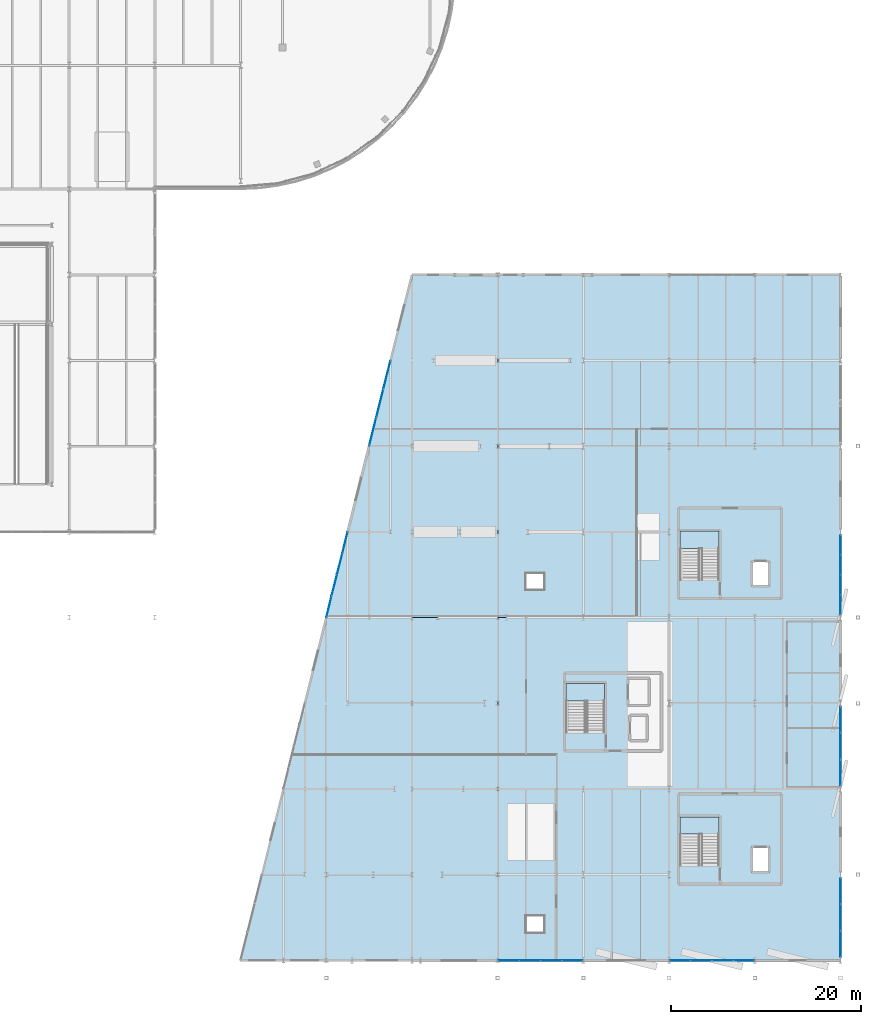
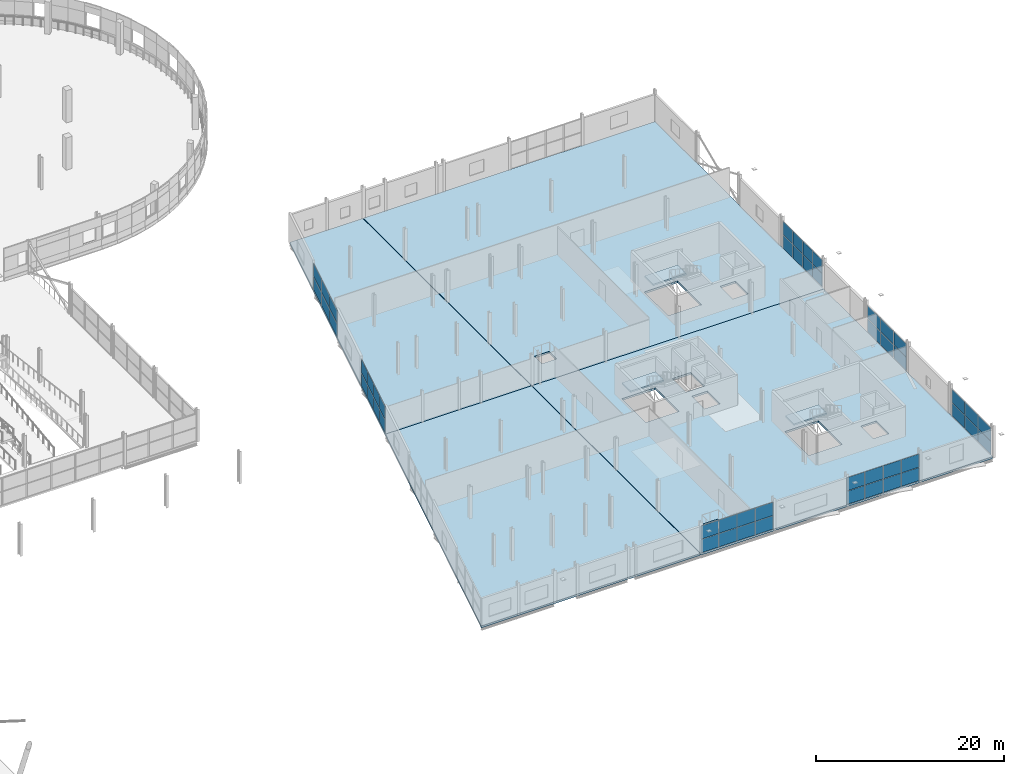
# One storey, part 103 of 132: 50 plates, 7 slabs, 10 elements without a shape of their own.
"""IFC4 building model written with IfcOpenShell, lengths in metres."""

from ifc_helpers import new_model, si_unit, direction, frame, origin, origin_2d, place, context, subcontext, project, spatial, polyline, rectangle, outline, extrude, material, layer, layer_set, type_object, element, aggregate, save


model = new_model("IFC4")

# Units and contexts
model_context = context("Model", 3, precision=1e-05, world=origin(), true_north=direction((0.0, 1.0)))
body_context = subcontext(model_context, "Body", "Model", "MODEL_VIEW")
ifc_project = project(units=[si_unit("LENGTHUNIT", "METRE"), si_unit("AREAUNIT", "SQUARE_METRE"), si_unit("VOLUMEUNIT", "CUBIC_METRE"), si_unit("PLANEANGLEUNIT", "RADIAN"), si_unit("MASSUNIT", "GRAM", prefix="KILO")], contexts=[model_context])

# Site, building, storey
site_placement = place(None, origin())
site = spatial("IfcSite", under=ifc_project, at=site_placement, CompositionType="ELEMENT")
building_placement = place(site_placement, origin())
building = spatial("IfcBuilding", under=site, at=building_placement, Name="Deido Ridge Mobility Hub", CompositionType="ELEMENT")
storey_placement = place(building_placement, frame((0.0, 0.0, 8.39990234375)))
storey = spatial("IfcBuildingStorey", under=building, at=storey_placement, Name="L02", CompositionType="ELEMENT", Elevation=8.39990234375)

# Curtain wall, plates
ifc_material_1 = material(Name="Anodised aluminium EN AW-6063 T6", Category="aluminium")
ifc_layer_1 = layer(ifc_material_1, 0.1650390625, Name="Anodised aluminium EN AW-6063 T6")
ifc_layer_set_1 = layer_set([ifc_layer_1], Name="Anodised aluminium EN AW-6063 T6")
curtain_wall_type_1 = type_object("IfcCurtainWallType", Name="CW-UF-1", PredefinedType="USERDEFINED", material=ifc_layer_set_1)
curtain_wall_1_placement = place(storey_placement, origin())
curtain_wall_1 = element("IfcCurtainWall", 1, at=curtain_wall_1_placement, inside=storey, type_object=curtain_wall_type_1, Name="Unitised curtain wall CW1", ObjectType="UNITISED FACADE", PredefinedType="USERDEFINED")
ifc_material_2 = material(Name="Laminated solar-control low-E glass", Category="glass")
ifc_layer_2 = layer(ifc_material_2, 0.02587890625, Name="Laminated solar-control low-E glass")
ifc_layer_set_2 = layer_set([ifc_layer_2], Name="Laminated solar-control low-E glass")
plate_type_1 = type_object("IfcPlateType", Name="PLT-CWP-26", PredefinedType="CURTAIN_PANEL", material=ifc_layer_set_2)
plate_1_placement = place(storey_placement, frame((145.14404296875, 0.0, 0.050048828125), z_axis=(0.0, 0.0, 1.0), x_axis=(1.0, 0.0, 0.0)))
plate_1 = element("IfcPlate", 2, at=plate_1_placement, type_object=plate_type_1, Name="CW1 panel 1.1", PredefinedType="CURTAIN_PANEL", context=body_context, shape_type="SweptSolid", body=[
    extrude(rectangle(XDim=2.1708984375, YDim=0.02587890625, at=origin_2d()), origin(), (0.0, 0.0, 1.0), 1.72509765625),
])
plate_2_placement = place(storey_placement, frame((145.14404296875, 0.0, 1.824951171875), z_axis=(0.0, 0.0, 1.0), x_axis=(1.0, 0.0, 0.0)))
plate_2 = element("IfcPlate", 3, at=plate_2_placement, type_object=plate_type_1, Name="CW1 panel 1.2", PredefinedType="CURTAIN_PANEL", context=body_context, shape_type="SweptSolid", body=[
    extrude(rectangle(XDim=2.1708984375, YDim=0.02587890625, at=origin_2d()), origin(), (0.0, 0.0, 1.0), 1.72509765625),
])
plate_3_placement = place(storey_placement, frame((147.37744140625, 0.0, 0.050048828125), z_axis=(0.0, 0.0, 1.0), x_axis=(1.0, 0.0, 0.0)))
plate_3 = element("IfcPlate", 4, at=plate_3_placement, type_object=plate_type_1, Name="CW1 panel 2.1", PredefinedType="CURTAIN_PANEL", context=body_context, shape_type="SweptSolid", body=[
    extrude(rectangle(XDim=2.19580078125, YDim=0.02587890625, at=origin_2d()), origin(), (0.0, 0.0, 1.0), 1.72509765625),
])
plate_4_placement = place(storey_placement, frame((147.37744140625, 0.0, 1.824951171875), z_axis=(0.0, 0.0, 1.0), x_axis=(1.0, 0.0, 0.0)))
plate_4 = element("IfcPlate", 5, at=plate_4_placement, type_object=plate_type_1, Name="CW1 panel 2.2", PredefinedType="CURTAIN_PANEL", context=body_context, shape_type="SweptSolid", body=[
    extrude(rectangle(XDim=2.19580078125, YDim=0.02587890625, at=origin_2d()), origin(), (0.0, 0.0, 1.0), 1.72509765625),
])
plate_5_placement = place(storey_placement, frame((149.62353515625, 0.0, 0.050048828125), z_axis=(0.0, 0.0, 1.0), x_axis=(1.0, 0.0, 0.0)))
plate_5 = element("IfcPlate", 6, at=plate_5_placement, type_object=plate_type_1, Name="CW1 panel 3.1", PredefinedType="CURTAIN_PANEL", context=body_context, shape_type="SweptSolid", body=[
    extrude(rectangle(XDim=2.19580078125, YDim=0.02587890625, at=origin_2d()), origin(), (0.0, 0.0, 1.0), 1.72509765625),
])
plate_6_placement = place(storey_placement, frame((149.62353515625, 0.0, 1.824951171875), z_axis=(0.0, 0.0, 1.0), x_axis=(1.0, 0.0, 0.0)))
plate_6 = element("IfcPlate", 7, at=plate_6_placement, type_object=plate_type_1, Name="CW1 panel 3.2", PredefinedType="CURTAIN_PANEL", context=body_context, shape_type="SweptSolid", body=[
    extrude(rectangle(XDim=2.19580078125, YDim=0.02587890625, at=origin_2d()), origin(), (0.0, 0.0, 1.0), 1.72509765625),
])
plate_7_placement = place(storey_placement, frame((151.85693359375, 0.0, 0.050048828125), z_axis=(0.0, 0.0, 1.0), x_axis=(1.0, 0.0, 0.0)))
plate_7 = element("IfcPlate", 8, at=plate_7_placement, type_object=plate_type_1, Name="CW1 panel 4.1", PredefinedType="CURTAIN_PANEL", context=body_context, shape_type="SweptSolid", body=[
    extrude(rectangle(XDim=2.1708984375, YDim=0.02587890625, at=origin_2d()), origin(), (0.0, 0.0, 1.0), 1.72509765625),
])
plate_8_placement = place(storey_placement, frame((151.85693359375, 0.0, 1.824951171875), z_axis=(0.0, 0.0, 1.0), x_axis=(1.0, 0.0, 0.0)))
plate_8 = element("IfcPlate", 9, at=plate_8_placement, type_object=plate_type_1, Name="CW1 panel 4.2", PredefinedType="CURTAIN_PANEL", context=body_context, shape_type="SweptSolid", body=[
    extrude(rectangle(XDim=2.1708984375, YDim=0.02587890625, at=origin_2d()), origin(), (0.0, 0.0, 1.0), 1.72509765625),
])
aggregate(curtain_wall_1, [plate_1, plate_2, plate_3, plate_4, plate_5, plate_6, plate_7, plate_8])

curtain_wall_2_placement = place(storey_placement, origin())
curtain_wall_2 = element("IfcCurtainWall", 10, at=curtain_wall_2_placement, inside=storey, type_object=curtain_wall_type_1, Name="Unitised curtain wall CW1", ObjectType="UNITISED FACADE", PredefinedType="USERDEFINED")
plate_9_placement = place(storey_placement, frame((180.0, 37.362548828125, 0.050048828125), z_axis=(0.0, 0.0, 1.0), x_axis=(0.0, 1.0, 0.0)))
plate_9 = element("IfcPlate", 11, at=plate_9_placement, type_object=plate_type_1, Name="CW1 panel 1.1", PredefinedType="CURTAIN_PANEL", context=body_context, shape_type="SweptSolid", body=[
    extrude(rectangle(XDim=2.02490234375, YDim=0.02587890625, at=origin_2d()), origin(), (0.0, 0.0, 1.0), 1.72509765625),
])
plate_10_placement = place(storey_placement, frame((180.0, 37.362548828125, 1.824951171875), z_axis=(0.0, 0.0, 1.0), x_axis=(0.0, 1.0, 0.0)))
plate_10 = element("IfcPlate", 12, at=plate_10_placement, type_object=plate_type_1, Name="CW1 panel 1.2", PredefinedType="CURTAIN_PANEL", context=body_context, shape_type="SweptSolid", body=[
    extrude(rectangle(XDim=2.02490234375, YDim=0.02587890625, at=origin_2d()), origin(), (0.0, 0.0, 1.0), 1.72509765625),
])
plate_11_placement = place(storey_placement, frame((180.0, 39.449951171875, 0.050048828125), z_axis=(0.0, 0.0, 1.0), x_axis=(0.0, 1.0, 0.0)))
plate_11 = element("IfcPlate", 13, at=plate_11_placement, type_object=plate_type_1, Name="CW1 panel 2.1", PredefinedType="CURTAIN_PANEL", context=body_context, shape_type="SweptSolid", body=[
    extrude(rectangle(XDim=2.050048828125, YDim=0.02587890625, at=origin_2d()), origin(), (0.0, 0.0, 1.0), 1.72509765625),
])
plate_12_placement = place(storey_placement, frame((180.0, 39.449951171875, 1.824951171875), z_axis=(0.0, 0.0, 1.0), x_axis=(0.0, 1.0, 0.0)))
plate_12 = element("IfcPlate", 14, at=plate_12_placement, type_object=plate_type_1, Name="CW1 panel 2.2", PredefinedType="CURTAIN_PANEL", context=body_context, shape_type="SweptSolid", body=[
    extrude(rectangle(XDim=2.050048828125, YDim=0.02587890625, at=origin_2d()), origin(), (0.0, 0.0, 1.0), 1.72509765625),
])
plate_13_placement = place(storey_placement, frame((180.0, 41.550048828125, 0.050048828125), z_axis=(0.0, 0.0, 1.0), x_axis=(0.0, 1.0, 0.0)))
plate_13 = element("IfcPlate", 15, at=plate_13_placement, type_object=plate_type_1, Name="CW1 panel 3.1", PredefinedType="CURTAIN_PANEL", context=body_context, shape_type="SweptSolid", body=[
    extrude(rectangle(XDim=2.050048828125, YDim=0.02587890625, at=origin_2d()), origin(), (0.0, 0.0, 1.0), 1.72509765625),
])
plate_14_placement = place(storey_placement, frame((180.0, 41.550048828125, 1.824951171875), z_axis=(0.0, 0.0, 1.0), x_axis=(0.0, 1.0, 0.0)))
plate_14 = element("IfcPlate", 16, at=plate_14_placement, type_object=plate_type_1, Name="CW1 panel 3.2", PredefinedType="CURTAIN_PANEL", context=body_context, shape_type="SweptSolid", body=[
    extrude(rectangle(XDim=2.050048828125, YDim=0.02587890625, at=origin_2d()), origin(), (0.0, 0.0, 1.0), 1.72509765625),
])
plate_15_placement = place(storey_placement, frame((180.0, 43.637451171875, 0.050048828125), z_axis=(0.0, 0.0, 1.0), x_axis=(0.0, 1.0, 0.0)))
plate_15 = element("IfcPlate", 17, at=plate_15_placement, type_object=plate_type_1, Name="CW1 panel 4.1", PredefinedType="CURTAIN_PANEL", context=body_context, shape_type="SweptSolid", body=[
    extrude(rectangle(XDim=2.02490234375, YDim=0.02587890625, at=origin_2d()), origin(), (0.0, 0.0, 1.0), 1.72509765625),
])
plate_16_placement = place(storey_placement, frame((180.0, 43.637451171875, 1.824951171875), z_axis=(0.0, 0.0, 1.0), x_axis=(0.0, 1.0, 0.0)))
plate_16 = element("IfcPlate", 18, at=plate_16_placement, type_object=plate_type_1, Name="CW1 panel 4.2", PredefinedType="CURTAIN_PANEL", context=body_context, shape_type="SweptSolid", body=[
    extrude(rectangle(XDim=2.02490234375, YDim=0.02587890625, at=origin_2d()), origin(), (0.0, 0.0, 1.0), 1.72509765625),
])
aggregate(curtain_wall_2, [plate_9, plate_10, plate_11, plate_12, plate_13, plate_14, plate_15, plate_16])

ifc_layer_3 = layer(ifc_material_1, 0.195068359375, Name="Anodised aluminium EN AW-6063 T6")
ifc_layer_set_3 = layer_set([ifc_layer_3], Name="Anodised aluminium EN AW-6063 T6")
curtain_wall_type_2 = type_object("IfcCurtainWallType", Name="CW-UF-3", PredefinedType="USERDEFINED", material=ifc_layer_set_3)
curtain_wall_3_placement = place(storey_placement, origin())
curtain_wall_3 = element("IfcCurtainWall", 19, at=curtain_wall_3_placement, inside=storey, type_object=curtain_wall_type_2, Name="Unitised curtain wall CW3", ObjectType="UNITISED FACADE", PredefinedType="USERDEFINED")
ifc_layer_4 = layer(ifc_material_2, 0.031005859375, Name="Laminated solar-control low-E glass")
ifc_layer_set_4 = layer_set([ifc_layer_4], Name="Laminated solar-control low-E glass")
plate_type_2 = type_object("IfcPlateType", Name="PLT-CWP-31", PredefinedType="CURTAIN_PANEL", material=ifc_layer_set_4)
plate_17_placement = place(storey_placement, frame((163.145751953125, 0.0, 0.06005859375), z_axis=(0.0, 0.0, 1.0), x_axis=(1.0, 0.0, 0.0)))
plate_17 = element("IfcPlate", 20, at=plate_17_placement, type_object=plate_type_2, Name="CW3 panel 1.1", PredefinedType="CURTAIN_PANEL", context=body_context, shape_type="SweptSolid", body=[
    extrude(rectangle(XDim=2.15625, YDim=0.031005859375, at=origin_2d()), origin(), (0.0, 0.0, 1.0), 1.7099609375),
])
plate_18_placement = place(storey_placement, frame((163.145751953125, 0.0, 1.830078125), z_axis=(0.0, 0.0, 1.0), x_axis=(1.0, 0.0, 0.0)))
plate_18 = element("IfcPlate", 21, at=plate_18_placement, type_object=plate_type_2, Name="CW3 panel 1.2", PredefinedType="CURTAIN_PANEL", context=body_context, shape_type="SweptSolid", body=[
    extrude(rectangle(XDim=2.15625, YDim=0.031005859375, at=origin_2d()), origin(), (0.0, 0.0, 1.0), 1.7099609375),
])
plate_19_placement = place(storey_placement, frame((165.376953125, 0.0, 0.06005859375), z_axis=(0.0, 0.0, 1.0), x_axis=(1.0, 0.0, 0.0)))
plate_19 = element("IfcPlate", 22, at=plate_19_placement, type_object=plate_type_2, Name="CW3 panel 2.1", PredefinedType="CURTAIN_PANEL", context=body_context, shape_type="SweptSolid", body=[
    extrude(rectangle(XDim=2.18603515625, YDim=0.031005859375, at=origin_2d()), origin(), (0.0, 0.0, 1.0), 1.7099609375),
])
plate_20_placement = place(storey_placement, frame((165.376953125, 0.0, 1.830078125), z_axis=(0.0, 0.0, 1.0), x_axis=(1.0, 0.0, 0.0)))
plate_20 = element("IfcPlate", 23, at=plate_20_placement, type_object=plate_type_2, Name="CW3 panel 2.2", PredefinedType="CURTAIN_PANEL", context=body_context, shape_type="SweptSolid", body=[
    extrude(rectangle(XDim=2.18603515625, YDim=0.031005859375, at=origin_2d()), origin(), (0.0, 0.0, 1.0), 1.7099609375),
])
plate_21_placement = place(storey_placement, frame((167.623046875, 0.0, 0.06005859375), z_axis=(0.0, 0.0, 1.0), x_axis=(1.0, 0.0, 0.0)))
plate_21 = element("IfcPlate", 24, at=plate_21_placement, type_object=plate_type_2, Name="CW3 panel 3.1", PredefinedType="CURTAIN_PANEL", context=body_context, shape_type="SweptSolid", body=[
    extrude(rectangle(XDim=2.18603515625, YDim=0.031005859375, at=origin_2d()), origin(), (0.0, 0.0, 1.0), 1.7099609375),
])
plate_22_placement = place(storey_placement, frame((167.623046875, 0.0, 1.830078125), z_axis=(0.0, 0.0, 1.0), x_axis=(1.0, 0.0, 0.0)))
plate_22 = element("IfcPlate", 25, at=plate_22_placement, type_object=plate_type_2, Name="CW3 panel 3.2", PredefinedType="CURTAIN_PANEL", context=body_context, shape_type="SweptSolid", body=[
    extrude(rectangle(XDim=2.18603515625, YDim=0.031005859375, at=origin_2d()), origin(), (0.0, 0.0, 1.0), 1.7099609375),
])
plate_23_placement = place(storey_placement, frame((169.854248046875, 0.0, 0.06005859375), z_axis=(0.0, 0.0, 1.0), x_axis=(1.0, 0.0, 0.0)))
plate_23 = element("IfcPlate", 26, at=plate_23_placement, type_object=plate_type_2, Name="CW3 panel 4.1", PredefinedType="CURTAIN_PANEL", context=body_context, shape_type="SweptSolid", body=[
    extrude(rectangle(XDim=2.15625, YDim=0.031005859375, at=origin_2d()), origin(), (0.0, 0.0, 1.0), 1.7099609375),
])
plate_24_placement = place(storey_placement, frame((169.854248046875, 0.0, 1.830078125), z_axis=(0.0, 0.0, 1.0), x_axis=(1.0, 0.0, 0.0)))
plate_24 = element("IfcPlate", 27, at=plate_24_placement, type_object=plate_type_2, Name="CW3 panel 4.2", PredefinedType="CURTAIN_PANEL", context=body_context, shape_type="SweptSolid", body=[
    extrude(rectangle(XDim=2.15625, YDim=0.031005859375, at=origin_2d()), origin(), (0.0, 0.0, 1.0), 1.7099609375),
])
aggregate(curtain_wall_3, [plate_17, plate_18, plate_19, plate_20, plate_21, plate_22, plate_23, plate_24])

ifc_layer_5 = layer(ifc_material_1, 0.2099609375, Name="Anodised aluminium EN AW-6063 T6")
ifc_layer_set_5 = layer_set([ifc_layer_5], Name="Anodised aluminium EN AW-6063 T6")
curtain_wall_type_3 = type_object("IfcCurtainWallType", Name="CW-UF-4", PredefinedType="USERDEFINED", material=ifc_layer_set_5)
curtain_wall_4_placement = place(storey_placement, origin())
curtain_wall_4 = element("IfcCurtainWall", 28, at=curtain_wall_4_placement, inside=storey, type_object=curtain_wall_type_3, Name="Unitised curtain wall CW4", ObjectType="UNITISED FACADE", PredefinedType="USERDEFINED")
plate_25_placement = place(storey_placement, frame((126.284912109375, 37.1396484375, 0.06005859375), z_axis=(0.0, 0.0, 1.0), x_axis=(0.242535625038, 0.970142500145, 0.0)))
plate_25 = element("IfcPlate", 29, at=plate_25_placement, type_object=plate_type_2, Name="CW4 panel 1.1", PredefinedType="CURTAIN_PANEL", context=body_context, shape_type="SweptSolid", body=[
    extrude(rectangle(XDim=2.229248046875, YDim=0.031005859375, at=origin_2d()), origin(), (0.0, 0.0, 1.0), 1.7099609375),
])
plate_26_placement = place(storey_placement, frame((126.284912109375, 37.1396484375, 1.830078125), z_axis=(0.0, 0.0, 1.0), x_axis=(0.242535625038, 0.970142500145, 0.0)))
plate_26 = element("IfcPlate", 30, at=plate_26_placement, type_object=plate_type_2, Name="CW4 panel 1.2", PredefinedType="CURTAIN_PANEL", context=body_context, shape_type="SweptSolid", body=[
    extrude(rectangle(XDim=2.229248046875, YDim=0.031005859375, at=origin_2d()), origin(), (0.0, 0.0, 1.0), 1.7099609375),
])
plate_27_placement = place(storey_placement, frame((126.84375, 39.375, 0.06005859375), z_axis=(0.0, 0.0, 1.0), x_axis=(0.242535625038, 0.970142500145, 0.0)))
plate_27 = element("IfcPlate", 31, at=plate_27_placement, type_object=plate_type_2, Name="CW4 panel 2.1", PredefinedType="CURTAIN_PANEL", context=body_context, shape_type="SweptSolid", body=[
    extrude(rectangle(XDim=2.25927734375, YDim=0.031005859375, at=origin_2d()), origin(), (0.0, 0.0, 1.0), 1.7099609375),
])
plate_28_placement = place(storey_placement, frame((126.84375, 39.375, 1.830078125), z_axis=(0.0, 0.0, 1.0), x_axis=(0.242535625038, 0.970142500145, 0.0)))
plate_28 = element("IfcPlate", 32, at=plate_28_placement, type_object=plate_type_2, Name="CW4 panel 2.2", PredefinedType="CURTAIN_PANEL", context=body_context, shape_type="SweptSolid", body=[
    extrude(rectangle(XDim=2.25927734375, YDim=0.031005859375, at=origin_2d()), origin(), (0.0, 0.0, 1.0), 1.7099609375),
])
plate_29_placement = place(storey_placement, frame((127.40625, 41.625, 0.06005859375), z_axis=(0.0, 0.0, 1.0), x_axis=(0.242535625038, 0.970142500145, 0.0)))
plate_29 = element("IfcPlate", 33, at=plate_29_placement, type_object=plate_type_2, Name="CW4 panel 3.1", PredefinedType="CURTAIN_PANEL", context=body_context, shape_type="SweptSolid", body=[
    extrude(rectangle(XDim=2.25927734375, YDim=0.031005859375, at=origin_2d()), origin(), (0.0, 0.0, 1.0), 1.7099609375),
])
plate_30_placement = place(storey_placement, frame((127.40625, 41.625, 1.830078125), z_axis=(0.0, 0.0, 1.0), x_axis=(0.242535625038, 0.970142500145, 0.0)))
plate_30 = element("IfcPlate", 34, at=plate_30_placement, type_object=plate_type_2, Name="CW4 panel 3.2", PredefinedType="CURTAIN_PANEL", context=body_context, shape_type="SweptSolid", body=[
    extrude(rectangle(XDim=2.25927734375, YDim=0.031005859375, at=origin_2d()), origin(), (0.0, 0.0, 1.0), 1.7099609375),
])
plate_31_placement = place(storey_placement, frame((127.965087890625, 43.8603515625, 0.06005859375), z_axis=(0.0, 0.0, 1.0), x_axis=(0.242535625038, 0.970142500145, 0.0)))
plate_31 = element("IfcPlate", 35, at=plate_31_placement, type_object=plate_type_2, Name="CW4 panel 4.1", PredefinedType="CURTAIN_PANEL", context=body_context, shape_type="SweptSolid", body=[
    extrude(rectangle(XDim=2.229248046875, YDim=0.031005859375, at=origin_2d()), origin(), (0.0, 0.0, 1.0), 1.7099609375),
])
plate_32_placement = place(storey_placement, frame((127.965087890625, 43.8603515625, 1.830078125), z_axis=(0.0, 0.0, 1.0), x_axis=(0.242535625038, 0.970142500145, 0.0)))
plate_32 = element("IfcPlate", 36, at=plate_32_placement, type_object=plate_type_2, Name="CW4 panel 4.2", PredefinedType="CURTAIN_PANEL", context=body_context, shape_type="SweptSolid", body=[
    extrude(rectangle(XDim=2.229248046875, YDim=0.031005859375, at=origin_2d()), origin(), (0.0, 0.0, 1.0), 1.7099609375),
])
aggregate(curtain_wall_4, [plate_25, plate_26, plate_27, plate_28, plate_29, plate_30, plate_31, plate_32])

ifc_layer_6 = layer(ifc_material_1, 0.22509765625, Name="Anodised aluminium EN AW-6063 T6")
ifc_layer_set_6 = layer_set([ifc_layer_6], Name="Anodised aluminium EN AW-6063 T6")
curtain_wall_type_4 = type_object("IfcCurtainWallType", Name="CW-UF-5", PredefinedType="USERDEFINED", material=ifc_layer_set_6)
curtain_wall_5_placement = place(storey_placement, origin())
curtain_wall_5 = element("IfcCurtainWall", 37, at=curtain_wall_5_placement, inside=storey, type_object=curtain_wall_type_4, Name="Unitised curtain wall CW5", ObjectType="UNITISED FACADE", PredefinedType="USERDEFINED")
ifc_layer_7 = layer(ifc_material_2, 0.034912109375, Name="Laminated solar-control low-E glass")
ifc_layer_set_7 = layer_set([ifc_layer_7], Name="Laminated solar-control low-E glass")
plate_type_3 = type_object("IfcPlateType", Name="PLT-CWP-35", PredefinedType="CURTAIN_PANEL", material=ifc_layer_set_7)
plate_33_placement = place(storey_placement, frame((180.0, 1.717529296875, 0.06982421875), z_axis=(0.0, 0.0, 1.0), x_axis=(0.0, 1.0, 0.0)))
plate_33 = element("IfcPlate", 38, at=plate_33_placement, type_object=plate_type_3, Name="CW5 panel 1.1", PredefinedType="CURTAIN_PANEL", context=body_context, shape_type="SweptSolid", body=[
    extrude(rectangle(XDim=2.695068359375, YDim=0.034912109375, at=origin_2d()), origin(), (0.0, 0.0, 1.0), 1.695068359375),
])
plate_34_placement = place(storey_placement, frame((180.0, 1.717529296875, 1.8349609375), z_axis=(0.0, 0.0, 1.0), x_axis=(0.0, 1.0, 0.0)))
plate_34 = element("IfcPlate", 39, at=plate_34_placement, type_object=plate_type_3, Name="CW5 panel 1.2", PredefinedType="CURTAIN_PANEL", context=body_context, shape_type="SweptSolid", body=[
    extrude(rectangle(XDim=2.695068359375, YDim=0.034912109375, at=origin_2d()), origin(), (0.0, 0.0, 1.0), 1.695068359375),
])
plate_35_placement = place(storey_placement, frame((180.0, 4.5, 0.06982421875), z_axis=(0.0, 0.0, 1.0), x_axis=(0.0, 1.0, 0.0)))
plate_35 = element("IfcPlate", 40, at=plate_35_placement, type_object=plate_type_3, Name="CW5 panel 2.1", PredefinedType="CURTAIN_PANEL", context=body_context, shape_type="SweptSolid", body=[
    extrude(rectangle(XDim=2.72998046875, YDim=0.034912109375, at=origin_2d()), origin(), (0.0, 0.0, 1.0), 1.695068359375),
])
plate_36_placement = place(storey_placement, frame((180.0, 4.5, 1.8349609375), z_axis=(0.0, 0.0, 1.0), x_axis=(0.0, 1.0, 0.0)))
plate_36 = element("IfcPlate", 41, at=plate_36_placement, type_object=plate_type_3, Name="CW5 panel 2.2", PredefinedType="CURTAIN_PANEL", context=body_context, shape_type="SweptSolid", body=[
    extrude(rectangle(XDim=2.72998046875, YDim=0.034912109375, at=origin_2d()), origin(), (0.0, 0.0, 1.0), 1.695068359375),
])
plate_37_placement = place(storey_placement, frame((180.0, 7.282470703125, 0.06982421875), z_axis=(0.0, 0.0, 1.0), x_axis=(0.0, 1.0, 0.0)))
plate_37 = element("IfcPlate", 42, at=plate_37_placement, type_object=plate_type_3, Name="CW5 panel 3.1", PredefinedType="CURTAIN_PANEL", context=body_context, shape_type="SweptSolid", body=[
    extrude(rectangle(XDim=2.695068359375, YDim=0.034912109375, at=origin_2d()), origin(), (0.0, 0.0, 1.0), 1.695068359375),
])
plate_38_placement = place(storey_placement, frame((180.0, 7.282470703125, 1.8349609375), z_axis=(0.0, 0.0, 1.0), x_axis=(0.0, 1.0, 0.0)))
plate_38 = element("IfcPlate", 43, at=plate_38_placement, type_object=plate_type_3, Name="CW5 panel 3.2", PredefinedType="CURTAIN_PANEL", context=body_context, shape_type="SweptSolid", body=[
    extrude(rectangle(XDim=2.695068359375, YDim=0.034912109375, at=origin_2d()), origin(), (0.0, 0.0, 1.0), 1.695068359375),
])
aggregate(curtain_wall_5, [plate_33, plate_34, plate_35, plate_36, plate_37, plate_38])

ifc_layer_8 = layer(ifc_material_1, 0.239990234375, Name="Anodised aluminium EN AW-6063 T6")
ifc_layer_set_8 = layer_set([ifc_layer_8], Name="Anodised aluminium EN AW-6063 T6")
curtain_wall_type_5 = type_object("IfcCurtainWallType", Name="CW-UF-6", PredefinedType="USERDEFINED", material=ifc_layer_set_8)
curtain_wall_6_placement = place(storey_placement, origin())
curtain_wall_6 = element("IfcCurtainWall", 44, at=curtain_wall_6_placement, inside=storey, type_object=curtain_wall_type_5, Name="Unitised curtain wall CW6", ObjectType="UNITISED FACADE", PredefinedType="USERDEFINED")
plate_39_placement = place(storey_placement, frame((130.879150390625, 55.51708984375, 0.06982421875), z_axis=(0.0, 0.0, 1.0), x_axis=(0.242535625038, 0.970142500145, 0.0)))
plate_39 = element("IfcPlate", 45, at=plate_39_placement, type_object=plate_type_3, Name="CW6 panel 1.1", PredefinedType="CURTAIN_PANEL", context=body_context, shape_type="SweptSolid", body=[
    extrude(rectangle(XDim=2.9873046875, YDim=0.034912109375, at=origin_2d()), origin(), (0.0, 0.0, 1.0), 1.695068359375),
])
plate_40_placement = place(storey_placement, frame((130.879150390625, 55.51708984375, 1.8349609375), z_axis=(0.0, 0.0, 1.0), x_axis=(0.242535625038, 0.970142500145, 0.0)))
plate_40 = element("IfcPlate", 46, at=plate_40_placement, type_object=plate_type_3, Name="CW6 panel 1.2", PredefinedType="CURTAIN_PANEL", context=body_context, shape_type="SweptSolid", body=[
    extrude(rectangle(XDim=2.9873046875, YDim=0.034912109375, at=origin_2d()), origin(), (0.0, 0.0, 1.0), 1.695068359375),
])
plate_41_placement = place(storey_placement, frame((131.625, 58.5, 0.06982421875), z_axis=(0.0, 0.0, 1.0), x_axis=(0.242535625038, 0.970142500145, 0.0)))
plate_41 = element("IfcPlate", 47, at=plate_41_placement, type_object=plate_type_3, Name="CW6 panel 2.1", PredefinedType="CURTAIN_PANEL", context=body_context, shape_type="SweptSolid", body=[
    extrude(rectangle(XDim=3.022216796875, YDim=0.034912109375, at=origin_2d()), origin(), (0.0, 0.0, 1.0), 1.695068359375),
])
plate_42_placement = place(storey_placement, frame((131.625, 58.5, 1.8349609375), z_axis=(0.0, 0.0, 1.0), x_axis=(0.242535625038, 0.970142500145, 0.0)))
plate_42 = element("IfcPlate", 48, at=plate_42_placement, type_object=plate_type_3, Name="CW6 panel 2.2", PredefinedType="CURTAIN_PANEL", context=body_context, shape_type="SweptSolid", body=[
    extrude(rectangle(XDim=3.022216796875, YDim=0.034912109375, at=origin_2d()), origin(), (0.0, 0.0, 1.0), 1.695068359375),
])
plate_43_placement = place(storey_placement, frame((132.370849609375, 61.48291015625, 0.06982421875), z_axis=(0.0, 0.0, 1.0), x_axis=(0.242535625038, 0.970142500145, 0.0)))
plate_43 = element("IfcPlate", 49, at=plate_43_placement, type_object=plate_type_3, Name="CW6 panel 3.1", PredefinedType="CURTAIN_PANEL", context=body_context, shape_type="SweptSolid", body=[
    extrude(rectangle(XDim=2.9873046875, YDim=0.034912109375, at=origin_2d()), origin(), (0.0, 0.0, 1.0), 1.695068359375),
])
plate_44_placement = place(storey_placement, frame((132.370849609375, 61.48291015625, 1.8349609375), z_axis=(0.0, 0.0, 1.0), x_axis=(0.242535625038, 0.970142500145, 0.0)))
plate_44 = element("IfcPlate", 50, at=plate_44_placement, type_object=plate_type_3, Name="CW6 panel 3.2", PredefinedType="CURTAIN_PANEL", context=body_context, shape_type="SweptSolid", body=[
    extrude(rectangle(XDim=2.9873046875, YDim=0.034912109375, at=origin_2d()), origin(), (0.0, 0.0, 1.0), 1.695068359375),
])
aggregate(curtain_wall_6, [plate_39, plate_40, plate_41, plate_42, plate_43, plate_44])

ifc_layer_9 = layer(ifc_material_1, 0.2548828125, Name="Anodised aluminium EN AW-6063 T6")
ifc_layer_set_9 = layer_set([ifc_layer_9], Name="Anodised aluminium EN AW-6063 T6")
curtain_wall_type_6 = type_object("IfcCurtainWallType", Name="CW-UF-7", PredefinedType="USERDEFINED", material=ifc_layer_set_9)
curtain_wall_7_placement = place(storey_placement, origin())
curtain_wall_7 = element("IfcCurtainWall", 51, at=curtain_wall_7_placement, inside=storey, type_object=curtain_wall_type_6, Name="Unitised curtain wall CW7", ObjectType="UNITISED FACADE", PredefinedType="USERDEFINED")
ifc_layer_10 = layer(ifc_material_2, 0.0390625, Name="Laminated solar-control low-E glass")
ifc_layer_set_10 = layer_set([ifc_layer_10], Name="Laminated solar-control low-E glass")
plate_type_4 = type_object("IfcPlateType", Name="PLT-CWP-39", PredefinedType="CURTAIN_PANEL", material=ifc_layer_set_10)
plate_45_placement = place(storey_placement, frame((180.0, 19.719970703125, 0.080078125), z_axis=(0.0, 0.0, 1.0), x_axis=(0.0, 1.0, 0.0)))
plate_45 = element("IfcPlate", 52, at=plate_45_placement, type_object=plate_type_4, Name="CW7 panel 1.1", PredefinedType="CURTAIN_PANEL", context=body_context, shape_type="SweptSolid", body=[
    extrude(rectangle(XDim=2.679931640625, YDim=0.0390625, at=origin_2d()), origin(), (0.0, 0.0, 1.0), 1.679931640625),
])
plate_46_placement = place(storey_placement, frame((180.0, 19.719970703125, 1.84033203125), z_axis=(0.0, 0.0, 1.0), x_axis=(0.0, 1.0, 0.0)))
plate_46 = element("IfcPlate", 53, at=plate_46_placement, type_object=plate_type_4, Name="CW7 panel 1.2", PredefinedType="CURTAIN_PANEL", context=body_context, shape_type="SweptSolid", body=[
    extrude(rectangle(XDim=2.679931640625, YDim=0.0390625, at=origin_2d()), origin(), (0.0, 0.0, 1.0), 1.679931640625),
])
plate_47_placement = place(storey_placement, frame((180.0, 22.5, 0.080078125), z_axis=(0.0, 0.0, 1.0), x_axis=(0.0, 1.0, 0.0)))
plate_47 = element("IfcPlate", 54, at=plate_47_placement, type_object=plate_type_4, Name="CW7 panel 2.1", PredefinedType="CURTAIN_PANEL", context=body_context, shape_type="SweptSolid", body=[
    extrude(rectangle(XDim=2.719970703125, YDim=0.0390625, at=origin_2d()), origin(), (0.0, 0.0, 1.0), 1.679931640625),
])
plate_48_placement = place(storey_placement, frame((180.0, 22.5, 1.84033203125), z_axis=(0.0, 0.0, 1.0), x_axis=(0.0, 1.0, 0.0)))
plate_48 = element("IfcPlate", 55, at=plate_48_placement, type_object=plate_type_4, Name="CW7 panel 2.2", PredefinedType="CURTAIN_PANEL", context=body_context, shape_type="SweptSolid", body=[
    extrude(rectangle(XDim=2.719970703125, YDim=0.0390625, at=origin_2d()), origin(), (0.0, 0.0, 1.0), 1.679931640625),
])
plate_49_placement = place(storey_placement, frame((180.0, 25.280029296875, 0.080078125), z_axis=(0.0, 0.0, 1.0), x_axis=(0.0, 1.0, 0.0)))
plate_49 = element("IfcPlate", 56, at=plate_49_placement, type_object=plate_type_4, Name="CW7 panel 3.1", PredefinedType="CURTAIN_PANEL", context=body_context, shape_type="SweptSolid", body=[
    extrude(rectangle(XDim=2.679931640625, YDim=0.0390625, at=origin_2d()), origin(), (0.0, 0.0, 1.0), 1.679931640625),
])
plate_50_placement = place(storey_placement, frame((180.0, 25.280029296875, 1.84033203125), z_axis=(0.0, 0.0, 1.0), x_axis=(0.0, 1.0, 0.0)))
plate_50 = element("IfcPlate", 57, at=plate_50_placement, type_object=plate_type_4, Name="CW7 panel 3.2", PredefinedType="CURTAIN_PANEL", context=body_context, shape_type="SweptSolid", body=[
    extrude(rectangle(XDim=2.679931640625, YDim=0.0390625, at=origin_2d()), origin(), (0.0, 0.0, 1.0), 1.679931640625),
])
aggregate(curtain_wall_7, [plate_45, plate_46, plate_47, plate_48, plate_49, plate_50])

# Slabs
ifc_material_3 = material(Name="Concrete C35/45", Category="concrete")
ifc_layer_11 = layer(ifc_material_3, 0.2548828125, Name="Concrete C35/45")
ifc_layer_set_11 = layer_set([ifc_layer_11], Name="Concrete C35/45")
slab_type_1 = type_object("IfcSlabType", Name="SLB-FLR-255", PredefinedType="FLOOR", material=ifc_layer_set_11)
slab_1_placement = place(storey_placement, frame((0.0, 0.0, -0.2548828125)))
element("IfcSlab", 58, at=slab_1_placement, inside=storey, type_object=slab_type_1, Name="L02 V6 structural deck 41", PredefinedType="FLOOR", context=body_context, shape_type="SweptSolid", body=[
    extrude(outline(polyline([(126.0, 36.0), (143.97509765625, 36.0), (143.97509765625, 0.0), (117.0, 0.0), (126.0, 36.0)])), origin(), (0.0, 0.0, 1.0), 0.2548828125),
])
slab_2_placement = place(storey_placement, frame((0.0, 0.0, -0.2548828125)))
element("IfcSlab", 59, at=slab_2_placement, inside=storey, type_object=slab_type_1, Name="L02 V6 structural deck 42", PredefinedType="FLOOR", context=body_context, shape_type="SweptSolid", body=[
    extrude(outline(polyline([(180.0, 36.0), (180.0, 0.0), (144.02490234375, 0.0), (144.02490234375, 36.0), (180.0, 36.0)]), holes=[polyline([(147.02490234375, 3.0), (147.02490234375, 4.60009765625), (148.824951171875, 4.60009765625), (148.824951171875, 3.0), (147.02490234375, 3.0)]), polyline([(170.64990234375, 9.25), (170.64990234375, 11.949951171875), (172.550048828125, 11.949951171875), (172.550048828125, 9.25), (170.64990234375, 9.25)]), polyline([(163.139892578125, 15.10009765625), (167.239990234375, 15.10009765625), (167.239990234375, 10.0), (163.139892578125, 10.0), (163.139892578125, 15.10009765625)]), polyline([(157.85009765625, 25.75), (159.75, 25.75), (159.75, 23.050048828125), (157.85009765625, 23.050048828125), (157.85009765625, 25.75)]), polyline([(151.139892578125, 24.0), (151.139892578125, 29.10009765625), (155.239990234375, 29.10009765625), (155.239990234375, 24.0), (151.139892578125, 24.0)]), polyline([(157.64990234375, 26.75), (157.64990234375, 29.64990234375), (159.949951171875, 29.64990234375), (159.949951171875, 26.75), (157.64990234375, 26.75)])]), origin(), (0.0, 0.0, 1.0), 0.2548828125),
])
slab_3_placement = place(storey_placement, frame((0.0, 0.0, -0.2548828125)))
element("IfcSlab", 60, at=slab_3_placement, inside=storey, type_object=slab_type_1, Name="L02 V6 structural deck 43", PredefinedType="FLOOR", context=body_context, shape_type="SweptSolid", body=[
    extrude(outline(polyline([(143.97509765625, 72.0), (143.97509765625, 36.0), (126.0, 36.0), (135.0, 72.0), (143.97509765625, 72.0)])), origin(), (0.0, 0.0, 1.0), 0.2548828125),
])
slab_4_placement = place(storey_placement, frame((0.0, 0.0, -0.2548828125)))
element("IfcSlab", 61, at=slab_4_placement, inside=storey, type_object=slab_type_1, Name="L02 V6 structural deck 44", PredefinedType="FLOOR", context=body_context, shape_type="SweptSolid", body=[
    extrude(outline(polyline([(180.0, 72.0), (180.0, 36.0), (144.02490234375, 36.0), (144.02490234375, 72.0), (180.0, 72.0)]), holes=[polyline([(147.02490234375, 39.0), (147.02490234375, 40.60009765625), (148.824951171875, 40.60009765625), (148.824951171875, 39.0), (147.02490234375, 39.0)]), polyline([(170.64990234375, 39.25), (170.64990234375, 41.949951171875), (172.550048828125, 41.949951171875), (172.550048828125, 39.25), (170.64990234375, 39.25)]), polyline([(163.139892578125, 45.10009765625), (167.239990234375, 45.10009765625), (167.239990234375, 40.0), (163.139892578125, 40.0), (163.139892578125, 45.10009765625)])]), origin(), (0.0, 0.0, 1.0), 0.2548828125),
])

# Stair, slab
stair_type = type_object("IfcStairType", Name="ST-CORE-HALF-1520", PredefinedType="HALF_TURN_STAIR", material=ifc_material_3)
stair_1_placement = place(storey_placement, origin())
stair_1 = element("IfcStair", 62, at=stair_1_placement, inside=storey, type_object=stair_type, Name="Protected exit stair ST1 (L02)", PredefinedType="HALF_TURN_STAIR")
ifc_layer_12 = layer(ifc_material_3, 0.199951171875, Name="Concrete C35/45")
ifc_layer_set_12 = layer_set([ifc_layer_12], Name="Concrete C35/45")
slab_type_2 = type_object("IfcSlabType", Name="SLB-STLND-200", PredefinedType="LANDING", material=ifc_layer_set_12)
slab_5_placement = place(storey_placement, frame((0.0, 0.0, 1.900146484375)))
slab_5 = element("IfcSlab", 63, at=slab_5_placement, type_object=slab_type_2, Name="ST1 landing 1", PredefinedType="LANDING", context=body_context, shape_type="SweptSolid", body=[
    extrude(outline(polyline([(163.16259765625, 13.25), (167.235107421875, 13.25), (167.235107421875, 15.074951171875), (163.16259765625, 15.074951171875), (163.16259765625, 13.25)])), origin(), (0.0, 0.0, 1.0), 0.199951171875),
])
aggregate(stair_1, [slab_5])

stair_2_placement = place(storey_placement, origin())
stair_2 = element("IfcStair", 64, at=stair_2_placement, inside=storey, type_object=stair_type, Name="Protected exit stair ST2 (L02)", PredefinedType="HALF_TURN_STAIR")
slab_6_placement = place(storey_placement, frame((0.0, 0.0, 1.900146484375)))
slab_6 = element("IfcSlab", 65, at=slab_6_placement, type_object=slab_type_2, Name="ST2 landing 1", PredefinedType="LANDING", context=body_context, shape_type="SweptSolid", body=[
    extrude(outline(polyline([(163.16259765625, 43.25), (167.235107421875, 43.25), (167.235107421875, 45.074951171875), (163.16259765625, 45.074951171875), (163.16259765625, 43.25)])), origin(), (0.0, 0.0, 1.0), 0.199951171875),
])
aggregate(stair_2, [slab_6])

stair_3_placement = place(storey_placement, origin())
stair_3 = element("IfcStair", 66, at=stair_3_placement, inside=storey, type_object=stair_type, Name="Protected exit stair ST3 (L02)", PredefinedType="HALF_TURN_STAIR")
slab_7_placement = place(storey_placement, frame((0.0, 0.0, 1.900146484375)))
slab_7 = element("IfcSlab", 67, at=slab_7_placement, type_object=slab_type_2, Name="ST3 landing 1", PredefinedType="LANDING", context=body_context, shape_type="SweptSolid", body=[
    extrude(outline(polyline([(151.14990234375, 27.25), (155.235107421875, 27.25), (155.235107421875, 29.074951171875), (151.14990234375, 29.074951171875), (151.14990234375, 27.25)])), origin(), (0.0, 0.0, 1.0), 0.199951171875),
])
aggregate(stair_3, [slab_7])

save(model, "model.ifc")
